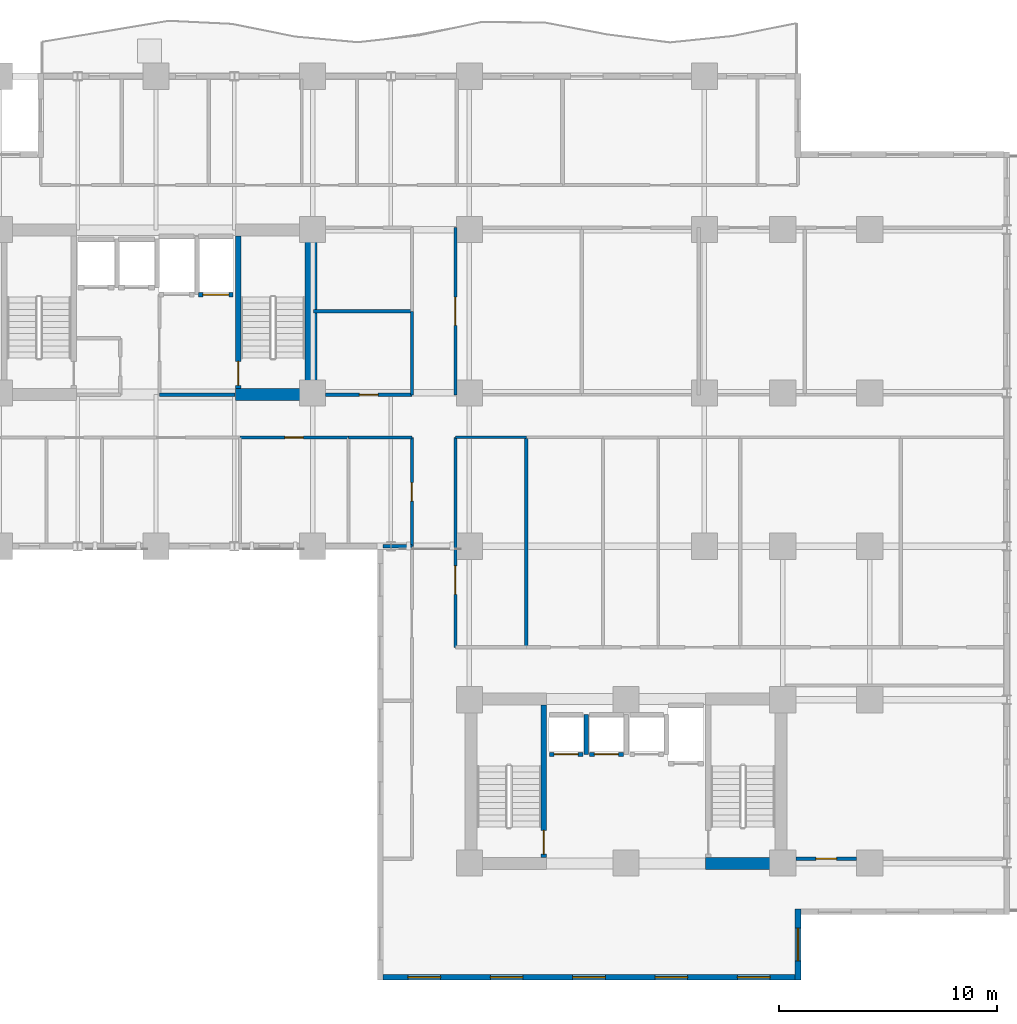
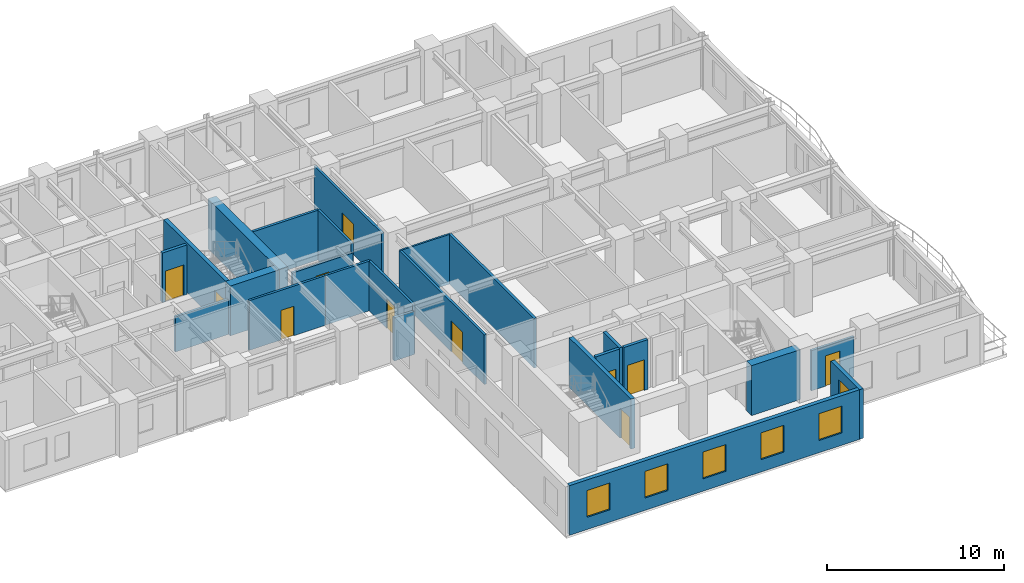
# One storey, part 4 of 11: 24 walls, 11 doors, 6 windows, 17 openings.
"""IFC4 building model written with IfcOpenShell, lengths in metres."""

from ifc_helpers import new_model, si_unit, direction, frame, frame_2d, origin, place, context, subcontext, project, spatial, rectangle, extrude, material, layer, layer_set, type_object, element, fill, save


model = new_model("IFC4")

# Units and contexts
model_context = context("Model", 3, precision=1e-05, world=origin(), true_north=direction((0.0, 1.0)))
body_context = subcontext(model_context, "Body", "Model", "MODEL_VIEW")
ifc_project = project(units=[si_unit("LENGTHUNIT", "METRE"), si_unit("AREAUNIT", "SQUARE_METRE"), si_unit("VOLUMEUNIT", "CUBIC_METRE"), si_unit("PLANEANGLEUNIT", "RADIAN"), si_unit("MASSUNIT", "GRAM", prefix="KILO")], contexts=[model_context])

# Site, building, storey
site_placement = place(None, origin())
site = spatial("IfcSite", under=ifc_project, at=site_placement, CompositionType="ELEMENT")
building_placement = place(site_placement, origin())
building = spatial("IfcBuilding", under=site, at=building_placement, Name="Kaliganga Portal Commons", CompositionType="ELEMENT")
storey_placement = place(building_placement, frame((0.0, 0.0, 119.300048828125)))
storey = spatial("IfcBuildingStorey", under=building, at=storey_placement, Name="L30", CompositionType="ELEMENT", Elevation=119.300048828125)

# Walls
ifc_material_1 = material(Name="Concrete C60/75", Category="concrete")
ifc_layer_1 = layer(ifc_material_1, 0.550048828125)
ifc_layer_set_1 = layer_set([ifc_layer_1], Name="Concrete C60/75")
wall_type_1 = type_object("IfcWallType", Name="WL-CORE-550", PredefinedType="SHEAR", material=ifc_layer_set_1)
wall_1_placement = place(storey_placement, frame((28.72509765625, 28.300048828125, 0.0), z_axis=(0.0, 0.0, 1.0), x_axis=(0.0, 1.0, 0.0)))
element("IfcWall", 1, at=wall_1_placement, inside=storey, type_object=wall_type_1, Name="Core A East Shear Wall L30", PredefinedType="SHEAR", context=body_context, shape_type="SweptSolid", body=[
    extrude(rectangle(XDim=8.099853515625, YDim=0.550048828125, at=frame_2d((4.0498046875, 0.0))), origin(), (0.0, 0.0, 1.0), 3.449951171875),
])
for number, where, z_axis, x_axis, name in (
    (2, (25.25, 28.574951171875, 0.0), (0.0, 0.0, 1.0), (1.0, 0.0, 0.0), "Core A S-East Shear Wall L30"),
    (3, (46.85009765625, 7.02490234375, 0.0), (0.0, 0.0, 1.0), (1.0, 0.0, 0.0), "Core B S-East Shear Wall L30"),
):
    element("IfcWall", number, at=place(storey_placement, frame(where, z_axis=z_axis, x_axis=x_axis)), inside=storey, type_object=wall_type_1, Name=name, PredefinedType="SHEAR", context=body_context, shape_type="SweptSolid", body=[
        extrude(rectangle(XDim=3.199951171875, YDim=0.550048828125, at=frame_2d((1.60009765625, 0.0))), origin(), (0.0, 0.0, 1.0), 3.449951171875),
    ])

# Wall, openings, windows
ifc_material_2 = material(Name="Insulated Aluminium-Clad Spandrel Assembly", Category="aluminium")
ifc_layer_2 = layer(ifc_material_2, 0.260009765625)
ifc_layer_set_2 = layer_set([ifc_layer_2], Name="Insulated Aluminium-Clad Spandrel Assembly")
wall_type_2 = type_object("IfcWallType", Name="WL-EXT-SPAND-260", PredefinedType="STANDARD", material=ifc_layer_set_2)
wall_2_placement = place(storey_placement, frame((50.965087890625, 1.800048828125, 0.0), z_axis=(0.0, 0.0, 1.0), x_axis=(-1.0, 0.0, 0.0)))
wall_2 = element("IfcWall", 4, at=wall_2_placement, inside=storey, type_object=wall_type_2, Name="Exterior Envelope Wall L30 P1-E00-S1", PredefinedType="STANDARD", context=body_context, shape_type="SweptSolid", body=[
    extrude(rectangle(XDim=18.93017578125, YDim=0.260009765625, at=frame_2d((9.465087890625, 0.0))), origin(), (0.0, 0.0, 1.0), 3.429931640625),
])
opening_1_placement = place(wall_2_placement, frame((1.14306640625, 0.0, 0.85009765625)))
opening_1 = element("IfcOpeningElement", 5, at=opening_1_placement, cuts=wall_2, Name="Opening W-02", PredefinedType="OPENING", context=body_context, shape_type="SweptSolid", body=[
    extrude(rectangle(XDim=1.5, YDim=1.85009765625, at=frame_2d((0.75, 0.925048828125))), frame((0.0, 0.14013671875, 0.0), z_axis=(0.0, -1.0, 0.0), x_axis=(1.0, 0.0, 0.0)), (0.0, 0.0, 1.0), 0.280029296875),
])
opening_2_placement = place(wall_2_placement, frame((4.928955078125, 0.0, 0.85009765625)))
opening_2 = element("IfcOpeningElement", 6, at=opening_2_placement, cuts=wall_2, Name="Opening W-02", PredefinedType="OPENING", context=body_context, shape_type="SweptSolid", body=[
    extrude(rectangle(XDim=1.5, YDim=1.85009765625, at=frame_2d((0.75, 0.925048828125))), frame((0.0, 0.14013671875, 0.0), z_axis=(0.0, -1.0, 0.0), x_axis=(1.0, 0.0, 0.0)), (0.0, 0.0, 1.0), 0.280029296875),
])
opening_3_placement = place(wall_2_placement, frame((8.715087890625, 0.0, 0.85009765625)))
opening_3 = element("IfcOpeningElement", 7, at=opening_3_placement, cuts=wall_2, Name="Opening W-02", PredefinedType="OPENING", context=body_context, shape_type="SweptSolid", body=[
    extrude(rectangle(XDim=1.5, YDim=1.85009765625, at=frame_2d((0.75, 0.925048828125))), frame((0.0, 0.14013671875, 0.0), z_axis=(0.0, -1.0, 0.0), x_axis=(1.0, 0.0, 0.0)), (0.0, 0.0, 1.0), 0.280029296875),
])
opening_4_placement = place(wall_2_placement, frame((12.5009765625, 0.0, 0.85009765625)))
opening_4 = element("IfcOpeningElement", 8, at=opening_4_placement, cuts=wall_2, Name="Opening W-02", PredefinedType="OPENING", context=body_context, shape_type="SweptSolid", body=[
    extrude(rectangle(XDim=1.5, YDim=1.85009765625, at=frame_2d((0.75, 0.925048828125))), frame((0.0, 0.14013671875, 0.0), z_axis=(0.0, -1.0, 0.0), x_axis=(1.0, 0.0, 0.0)), (0.0, 0.0, 1.0), 0.280029296875),
])
opening_5_placement = place(wall_2_placement, frame((16.287109375, 0.0, 0.85009765625)))
opening_5 = element("IfcOpeningElement", 9, at=opening_5_placement, cuts=wall_2, Name="Opening W-02", PredefinedType="OPENING", context=body_context, shape_type="SweptSolid", body=[
    extrude(rectangle(XDim=1.5, YDim=1.85009765625, at=frame_2d((0.75, 0.925048828125))), frame((0.0, 0.14013671875, 0.0), z_axis=(0.0, -1.0, 0.0), x_axis=(1.0, 0.0, 0.0)), (0.0, 0.0, 1.0), 0.280029296875),
])
ifc_material_3 = material(Name="Thermally Broken Aluminium and Low-E Double Glazing", Category="aluminium")
window_type = type_object("IfcWindowType", Name="WIN-STD-1500", PartitioningType="DOUBLE_PANEL_VERTICAL", PredefinedType="WINDOW", material=ifc_material_3)
window_1_placement = place(opening_1_placement, origin())
window_1 = element("IfcWindow", 10, at=window_1_placement, inside=storey, type_object=window_type, Name="Facade Window L30-P1E00S1-00", OverallHeight=1.85009765625, OverallWidth=1.5, PartitioningType="SINGLE_PANEL", PredefinedType="WINDOW", context=body_context, shape_type="SweptSolid", body=[
    extrude(rectangle(XDim=1.5, YDim=1.85009765625, at=frame_2d((0.75, 0.925048828125))), frame((0.0, 0.030029296875, 0.0), z_axis=(0.0, -1.0, 0.0), x_axis=(1.0, 0.0, 0.0)), (0.0, 0.0, 1.0), 0.06005859375),
])
fill(opening_1, window_1)
window_2_placement = place(opening_2_placement, origin())
window_2 = element("IfcWindow", 11, at=window_2_placement, inside=storey, type_object=window_type, Name="Facade Window L30-P1E00S1-01", OverallHeight=1.85009765625, OverallWidth=1.5, PartitioningType="SINGLE_PANEL", PredefinedType="WINDOW", context=body_context, shape_type="SweptSolid", body=[
    extrude(rectangle(XDim=1.5, YDim=1.85009765625, at=frame_2d((0.75, 0.925048828125))), frame((0.0, 0.030029296875, 0.0), z_axis=(0.0, -1.0, 0.0), x_axis=(1.0, 0.0, 0.0)), (0.0, 0.0, 1.0), 0.06005859375),
])
fill(opening_2, window_2)
window_3_placement = place(opening_3_placement, origin())
window_3 = element("IfcWindow", 12, at=window_3_placement, inside=storey, type_object=window_type, Name="Facade Window L30-P1E00S1-02", OverallHeight=1.85009765625, OverallWidth=1.5, PartitioningType="SINGLE_PANEL", PredefinedType="WINDOW", context=body_context, shape_type="SweptSolid", body=[
    extrude(rectangle(XDim=1.5, YDim=1.85009765625, at=frame_2d((0.75, 0.925048828125))), frame((0.0, 0.030029296875, 0.0), z_axis=(0.0, -1.0, 0.0), x_axis=(1.0, 0.0, 0.0)), (0.0, 0.0, 1.0), 0.06005859375),
])
fill(opening_3, window_3)
window_4_placement = place(opening_4_placement, origin())
window_4 = element("IfcWindow", 13, at=window_4_placement, inside=storey, type_object=window_type, Name="Facade Window L30-P1E00S1-03", OverallHeight=1.85009765625, OverallWidth=1.5, PartitioningType="SINGLE_PANEL", PredefinedType="WINDOW", context=body_context, shape_type="SweptSolid", body=[
    extrude(rectangle(XDim=1.5, YDim=1.85009765625, at=frame_2d((0.75, 0.925048828125))), frame((0.0, 0.030029296875, 0.0), z_axis=(0.0, -1.0, 0.0), x_axis=(1.0, 0.0, 0.0)), (0.0, 0.0, 1.0), 0.06005859375),
])
fill(opening_4, window_4)
window_5_placement = place(opening_5_placement, origin())
window_5 = element("IfcWindow", 14, at=window_5_placement, inside=storey, type_object=window_type, Name="Facade Window L30-P1E00S1-04", OverallHeight=1.85009765625, OverallWidth=1.5, PartitioningType="SINGLE_PANEL", PredefinedType="WINDOW", context=body_context, shape_type="SweptSolid", body=[
    extrude(rectangle(XDim=1.5, YDim=1.85009765625, at=frame_2d((0.75, 0.925048828125))), frame((0.0, 0.030029296875, 0.0), z_axis=(0.0, -1.0, 0.0), x_axis=(1.0, 0.0, 0.0)), (0.0, 0.0, 1.0), 0.06005859375),
])
fill(opening_5, window_5)

# Wall, opening, window
wall_3_placement = place(storey_placement, frame((51.10009765625, 4.929931640625, 0.0), z_axis=(0.0, 0.0, 1.0), x_axis=(0.0, -1.0, 0.0)))
wall_3 = element("IfcWall", 15, at=wall_3_placement, inside=storey, type_object=wall_type_2, Name="Exterior Envelope Wall L30 P1-E01-S1", PredefinedType="STANDARD", context=body_context, shape_type="SweptSolid", body=[
    extrude(rectangle(XDim=3.260009765625, YDim=0.260009765625, at=frame_2d((1.6298828125, 0.0))), origin(), (0.0, 0.0, 1.0), 3.429931640625),
])
opening_6_placement = place(wall_3_placement, frame((0.8798828125, 0.0, 0.85009765625)))
opening_6 = element("IfcOpeningElement", 16, at=opening_6_placement, cuts=wall_3, Name="Opening W-02", PredefinedType="OPENING", context=body_context, shape_type="SweptSolid", body=[
    extrude(rectangle(XDim=1.5, YDim=1.85009765625, at=frame_2d((0.75, 0.925048828125))), frame((0.0, 0.14013671875, 0.0), z_axis=(0.0, -1.0, 0.0), x_axis=(1.0, 0.0, 0.0)), (0.0, 0.0, 1.0), 0.280029296875),
])
window_6_placement = place(opening_6_placement, origin())
window_6 = element("IfcWindow", 17, at=window_6_placement, inside=storey, type_object=window_type, Name="Facade Window L30-P1E01S1-00", OverallHeight=1.85009765625, OverallWidth=1.5, PartitioningType="SINGLE_PANEL", PredefinedType="WINDOW", context=body_context, shape_type="SweptSolid", body=[
    extrude(rectangle(XDim=1.5, YDim=1.85009765625, at=frame_2d((0.75, 0.925048828125))), frame((0.0, 0.030029296875, 0.0), z_axis=(0.0, -1.0, 0.0), x_axis=(1.0, 0.0, 0.0)), (0.0, 0.0, 1.0), 0.06005859375),
])
fill(opening_6, window_6)

# Wall, opening, door
ifc_material_4 = material(Name="Fire-Rated Gypsum Board on Steel Stud", Category="steel")
ifc_layer_3 = layer(ifc_material_4, 0.14990234375)
ifc_layer_set_3 = layer_set([ifc_layer_3], Name="Fire-Rated Gypsum Board on Steel Stud")
wall_type_3 = type_object("IfcWallType", Name="WL-PART-CORR-150", PredefinedType="PARTITIONING", material=ifc_layer_set_3)
wall_4_placement = place(storey_placement, frame((51.0, 7.239990234375, 0.0), z_axis=(0.0, 0.0, 1.0), x_axis=(1.0, 0.0, 0.0)))
wall_4 = element("IfcWall", 18, at=wall_4_placement, inside=storey, type_object=wall_type_3, Name="Interior Partition L30-001", PredefinedType="PARTITIONING", context=body_context, shape_type="SweptSolid", body=[
    extrude(rectangle(XDim=2.800048828125, YDim=0.14990234375, at=frame_2d((1.39990234375, 0.0))), origin(), (0.0, 0.0, 1.0), 2.780029296875),
])
opening_7_placement = place(wall_4_placement, frame((0.925048828125, 0.0, 0.0)))
opening_7 = element("IfcOpeningElement", 19, at=opening_7_placement, cuts=wall_4, Name="Opening UD-01", PredefinedType="OPENING", context=body_context, shape_type="SweptSolid", body=[
    extrude(rectangle(XDim=0.949951171875, YDim=2.10009765625, at=frame_2d((0.47509765625, 1.050048828125))), frame((0.0, 0.0849609375, 0.0), z_axis=(0.0, -1.0, 0.0), x_axis=(1.0, 0.0, 0.0)), (0.0, 0.0, 1.0), 0.169921875),
])
ifc_material_5 = material(Name="Solid-Core Timber Acoustic Fire Door", Category="wood")
door_type_1 = type_object("IfcDoorType", Name="DR-UNIT-950", OperationType="NOTDEFINED", PredefinedType="DOOR", material=ifc_material_5)
door_1_placement = place(opening_7_placement, origin())
door_1 = element("IfcDoor", 20, at=door_1_placement, inside=storey, type_object=door_type_1, Name="Interior Door L30-BE01", OperationType="SINGLE_SWING_RIGHT", OverallHeight=2.10009765625, OverallWidth=0.949951171875, PredefinedType="DOOR", context=body_context, shape_type="SweptSolid", body=[
    extrude(rectangle(XDim=0.949951171875, YDim=2.10009765625, at=frame_2d((0.47509765625, 1.050048828125))), frame((0.0, 0.02490234375, 0.0), z_axis=(0.0, -1.0, 0.0), x_axis=(1.0, 0.0, 0.0)), (0.0, 0.0, 1.0), 0.050048828125),
])
fill(opening_7, door_1)

wall_5_placement = place(storey_placement, frame((35.360107421875, 16.9599609375, 0.0), z_axis=(0.0, 0.0, 1.0), x_axis=(0.0, 1.0, 0.0)))
wall_5 = element("IfcWall", 21, at=wall_5_placement, inside=storey, type_object=wall_type_3, Name="Interior Partition L30-004", PredefinedType="PARTITIONING", context=body_context, shape_type="SweptSolid", body=[
    extrude(rectangle(XDim=9.64013671875, YDim=0.14990234375, at=frame_2d((4.820068359375, 0.0))), origin(), (0.0, 0.0, 1.0), 3.429931640625),
])
opening_8_placement = place(wall_5_placement, frame((2.434814453125, 0.0, 0.0)))
opening_8 = element("IfcOpeningElement", 22, at=opening_8_placement, cuts=wall_5, Name="Opening RD-03", PredefinedType="OPENING", context=body_context, shape_type="SweptSolid", body=[
    extrude(rectangle(XDim=1.300048828125, YDim=2.1201171875, at=frame_2d((0.64990234375, 1.06005859375))), frame((0.0, 0.0849609375, 0.0), z_axis=(0.0, -1.0, 0.0), x_axis=(1.0, 0.0, 0.0)), (0.0, 0.0, 1.0), 0.169921875),
])
ifc_material_6 = material(Name="Glazed Timber Seminar Vision Door", Category="wood")
door_type_2 = type_object("IfcDoorType", Name="DR-STUDY-1300", OperationType="DOUBLE_DOOR_SINGLE_SWING", PredefinedType="DOOR", material=ifc_material_6)
door_2_placement = place(opening_8_placement, origin())
door_2 = element("IfcDoor", 23, at=door_2_placement, inside=storey, type_object=door_type_2, Name="Interior Door L30-BM01", OperationType="DOUBLE_DOOR_SINGLE_SWING", OverallHeight=2.1201171875, OverallWidth=1.300048828125, PredefinedType="DOOR", context=body_context, shape_type="SweptSolid", body=[
    extrude(rectangle(XDim=1.300048828125, YDim=2.1201171875, at=frame_2d((0.64990234375, 1.06005859375))), frame((0.0, 0.02490234375, 0.0), z_axis=(0.0, -1.0, 0.0), x_axis=(1.0, 0.0, 0.0)), (0.0, 0.0, 1.0), 0.050048828125),
])
fill(opening_8, door_2)

wall_6_placement = place(storey_placement, frame((35.360107421875, 28.56005859375, 0.0), z_axis=(0.0, 0.0, 1.0), x_axis=(0.0, 1.0, 0.0)))
wall_6 = element("IfcWall", 24, at=wall_6_placement, inside=storey, type_object=wall_type_3, Name="Interior Partition L30-008", PredefinedType="PARTITIONING", context=body_context, shape_type="SweptSolid", body=[
    extrude(rectangle(XDim=7.679931640625, YDim=0.14990234375, at=frame_2d((3.83984375, 0.0))), origin(), (0.0, 0.0, 1.0), 3.429931640625),
])
opening_9_placement = place(wall_6_placement, frame((3.18994140625, 0.0, 0.0)))
opening_9 = element("IfcOpeningElement", 25, at=opening_9_placement, cuts=wall_6, Name="Opening RD-03", PredefinedType="OPENING", context=body_context, shape_type="SweptSolid", body=[
    extrude(rectangle(XDim=1.300048828125, YDim=2.1201171875, at=frame_2d((0.64990234375, 1.06005859375))), frame((0.0, 0.0849609375, 0.0), z_axis=(0.0, -1.0, 0.0), x_axis=(1.0, 0.0, 0.0)), (0.0, 0.0, 1.0), 0.169921875),
])
door_3_placement = place(opening_9_placement, origin())
door_3 = element("IfcDoor", 26, at=door_3_placement, inside=storey, type_object=door_type_2, Name="Interior Door L30-BK01", OperationType="DOUBLE_DOOR_SINGLE_SWING", OverallHeight=2.1201171875, OverallWidth=1.300048828125, PredefinedType="DOOR", context=body_context, shape_type="SweptSolid", body=[
    extrude(rectangle(XDim=1.300048828125, YDim=2.1201171875, at=frame_2d((0.64990234375, 1.06005859375))), frame((0.0, 0.02490234375, 0.0), z_axis=(0.0, -1.0, 0.0), x_axis=(1.0, 0.0, 0.0)), (0.0, 0.0, 1.0), 0.050048828125),
])
fill(opening_9, door_3)

wall_7_placement = place(storey_placement, frame((33.360107421875, 21.60009765625, 0.0), z_axis=(0.0, 0.0, 1.0), x_axis=(0.0, 1.0, 0.0)))
wall_7 = element("IfcWall", 27, at=wall_7_placement, inside=storey, type_object=wall_type_3, Name="Interior Partition L30-016", PredefinedType="PARTITIONING", context=body_context, shape_type="SweptSolid", body=[
    extrude(rectangle(XDim=5.0, YDim=0.14990234375, at=frame_2d((2.5, 0.0))), origin(), (0.0, 0.0, 1.0), 3.429931640625),
])
opening_10_placement = place(wall_7_placement, frame((2.070068359375, 0.0, 0.0)))
opening_10 = element("IfcOpeningElement", 28, at=opening_10_placement, cuts=wall_7, Name="Opening WD-02", PredefinedType="OPENING", context=body_context, shape_type="SweptSolid", body=[
    extrude(rectangle(XDim=0.860107421875, YDim=2.02001953125, at=frame_2d((0.43017578125, 1.010009765625))), frame((0.0, 0.0849609375, 0.0), z_axis=(0.0, -1.0, 0.0), x_axis=(1.0, 0.0, 0.0)), (0.0, 0.0, 1.0), 0.169921875),
])
ifc_material_7 = material(Name="Fire-Rated Utility Closet Door", Category="wood")
door_type_3 = type_object("IfcDoorType", Name="DR-STORE-800", OperationType="NOTDEFINED", PredefinedType="DOOR", material=ifc_material_7)
door_4_placement = place(opening_10_placement, origin())
door_4 = element("IfcDoor", 29, at=door_4_placement, inside=storey, type_object=door_type_3, Name="Interior Door L30-AS06", OperationType="SINGLE_SWING_LEFT", OverallHeight=2.02001953125, OverallWidth=0.860107421875, PredefinedType="DOOR", context=body_context, shape_type="SweptSolid", body=[
    extrude(rectangle(XDim=0.860107421875, YDim=2.02001953125, at=frame_2d((0.43017578125, 1.010009765625))), frame((0.0, 0.02490234375, 0.0), z_axis=(0.0, -1.0, 0.0), x_axis=(1.0, 0.0, 0.0)), (0.0, 0.0, 1.0), 0.050048828125),
])
fill(opening_10, door_4)

wall_8_placement = place(storey_placement, frame((25.4599609375, 26.60009765625, 0.0), z_axis=(0.0, 0.0, 1.0), x_axis=(1.0, 0.0, 0.0)))
wall_8 = element("IfcWall", 30, at=wall_8_placement, inside=storey, type_object=wall_type_3, Name="Interior Partition L30-017", PredefinedType="PARTITIONING", context=body_context, shape_type="SweptSolid", body=[
    extrude(rectangle(XDim=4.97998046875, YDim=0.14990234375, at=frame_2d((2.489990234375, 0.0))), origin(), (0.0, 0.0, 1.0), 3.429931640625),
])
opening_11_placement = place(wall_8_placement, frame((2.06494140625, 0.0, 0.0)))
opening_11 = element("IfcOpeningElement", 31, at=opening_11_placement, cuts=wall_8, Name="Opening WD-01", PredefinedType="OPENING", context=body_context, shape_type="SweptSolid", body=[
    extrude(rectangle(XDim=0.85009765625, YDim=2.0400390625, at=frame_2d((0.425048828125, 1.02001953125))), frame((0.0, 0.0849609375, 0.0), z_axis=(0.0, -1.0, 0.0), x_axis=(1.0, 0.0, 0.0)), (0.0, 0.0, 1.0), 0.169921875),
])
ifc_material_8 = material(Name="Moisture-Resistant Laminate Timber Door", Category="wood")
door_type_4 = type_object("IfcDoorType", Name="DR-WET-850", OperationType="NOTDEFINED", PredefinedType="DOOR", material=ifc_material_8)
door_5_placement = place(opening_11_placement, origin())
door_5 = element("IfcDoor", 32, at=door_5_placement, inside=storey, type_object=door_type_4, Name="Interior Door L30-AS05", OperationType="SINGLE_SWING_RIGHT", OverallHeight=2.0400390625, OverallWidth=0.85009765625, PredefinedType="DOOR", context=body_context, shape_type="SweptSolid", body=[
    extrude(rectangle(XDim=0.85009765625, YDim=2.0400390625, at=frame_2d((0.425048828125, 1.02001953125))), frame((0.0, 0.02490234375, 0.0), z_axis=(0.0, -1.0, 0.0), x_axis=(1.0, 0.0, 0.0)), (0.0, 0.0, 1.0), 0.050048828125),
])
fill(opening_11, door_5)

wall_9_placement = place(storey_placement, frame((29.39990234375, 28.56005859375, 0.0), z_axis=(0.0, 0.0, 1.0), x_axis=(1.0, 0.0, 0.0)))
wall_9 = element("IfcWall", 33, at=wall_9_placement, inside=storey, type_object=wall_type_3, Name="Interior Partition L30-024", PredefinedType="PARTITIONING", context=body_context, shape_type="SweptSolid", body=[
    extrude(rectangle(XDim=3.960205078125, YDim=0.14990234375, at=frame_2d((1.97998046875, 0.0))), origin(), (0.0, 0.0, 1.0), 2.780029296875),
])
opening_12_placement = place(wall_9_placement, frame((1.550048828125, 0.0, 0.0)))
opening_12 = element("IfcOpeningElement", 34, at=opening_12_placement, cuts=wall_9, Name="Opening WD-02", PredefinedType="OPENING", context=body_context, shape_type="SweptSolid", body=[
    extrude(rectangle(XDim=0.860107421875, YDim=2.02001953125, at=frame_2d((0.43017578125, 1.010009765625))), frame((0.0, 0.0849609375, 0.0), z_axis=(0.0, -1.0, 0.0), x_axis=(1.0, 0.0, 0.0)), (0.0, 0.0, 1.0), 0.169921875),
])
door_6_placement = place(opening_12_placement, origin())
door_6 = element("IfcDoor", 35, at=door_6_placement, inside=storey, type_object=door_type_3, Name="Interior Door L30-CSRV_A1", OperationType="SINGLE_SWING_RIGHT", OverallHeight=2.02001953125, OverallWidth=0.860107421875, PredefinedType="DOOR", context=body_context, shape_type="SweptSolid", body=[
    extrude(rectangle(XDim=0.860107421875, YDim=2.02001953125, at=frame_2d((0.43017578125, 1.010009765625))), frame((0.0, 0.02490234375, 0.0), z_axis=(0.0, -1.0, 0.0), x_axis=(1.0, 0.0, 0.0)), (0.0, 0.0, 1.0), 0.050048828125),
])
fill(opening_12, door_6)

# Walls
wall_10_placement = place(storey_placement, frame((33.360107421875, 28.56005859375, 0.0), z_axis=(0.0, 0.0, 1.0), x_axis=(0.0, 1.0, 0.0)))
element("IfcWall", 36, at=wall_10_placement, inside=storey, type_object=wall_type_3, Name="Interior Partition L30-029", PredefinedType="PARTITIONING", context=body_context, shape_type="SweptSolid", body=[
    extrude(rectangle(XDim=3.83984375, YDim=0.14990234375, at=frame_2d((1.919921875, 0.0))), origin(), (0.0, 0.0, 1.0), 3.429931640625),
])
wall_11_placement = place(storey_placement, frame((30.43994140625, 26.60009765625, 0.0), z_axis=(0.0, 0.0, 1.0), x_axis=(1.0, 0.0, 0.0)))
element("IfcWall", 37, at=wall_11_placement, inside=storey, type_object=wall_type_3, Name="Interior Partition L30-034", PredefinedType="PARTITIONING", context=body_context, shape_type="SweptSolid", body=[
    extrude(rectangle(XDim=2.920166015625, YDim=0.14990234375, at=frame_2d((1.4599609375, 0.0))), origin(), (0.0, 0.0, 1.0), 3.429931640625),
])
wall_12_placement = place(storey_placement, frame((21.760009765625, 28.56005859375, 0.0), z_axis=(0.0, 0.0, 1.0), x_axis=(1.0, 0.0, 0.0)))
element("IfcWall", 38, at=wall_12_placement, inside=storey, type_object=wall_type_3, Name="Interior Partition L30-077", PredefinedType="PARTITIONING", context=body_context, shape_type="SweptSolid", body=[
    extrude(rectangle(XDim=3.47998046875, YDim=0.14990234375, at=frame_2d((1.739990234375, 0.0))), origin(), (0.0, 0.0, 1.0), 2.429931640625),
])
ifc_material_9 = material(Name="Moisture-Resistant Gypsum Partition", Category="gypsum")
ifc_layer_4 = layer(ifc_material_9, 0.114990234375)
ifc_layer_set_4 = layer_set([ifc_layer_4], Name="Moisture-Resistant Gypsum Partition")
wall_type_4 = type_object("IfcWallType", Name="WL-PART-ROOM-115", PredefinedType="PARTITIONING", material=ifc_layer_set_4)
wall_13_placement = place(storey_placement, frame((35.360107421875, 26.60009765625, 0.0), z_axis=(0.0, 0.0, 1.0), x_axis=(1.0, 0.0, 0.0)))
element("IfcWall", 39, at=wall_13_placement, inside=storey, type_object=wall_type_4, Name="Interior Partition L30-078", PredefinedType="PARTITIONING", context=body_context, shape_type="SweptSolid", body=[
    extrude(rectangle(XDim=3.260009765625, YDim=0.114990234375, at=frame_2d((1.6298828125, 0.0))), origin(), (0.0, 0.0, 1.0), 3.429931640625),
])
ifc_material_10 = material(Name="Twin-Stud Acoustic Gypsum Partition", Category="gypsum")
ifc_layer_5 = layer(ifc_material_10, 0.1650390625)
ifc_layer_set_5 = layer_set([ifc_layer_5], Name="Twin-Stud Acoustic Gypsum Partition")
wall_type_5 = type_object("IfcWallType", Name="WL-PART-UNIT-165", PredefinedType="PARTITIONING", material=ifc_layer_set_5)
wall_14_placement = place(storey_placement, frame((38.6201171875, 16.9599609375, 0.0), z_axis=(0.0, 0.0, 1.0), x_axis=(0.0, 1.0, 0.0)))
element("IfcWall", 40, at=wall_14_placement, inside=storey, type_object=wall_type_5, Name="Interior Partition L30-043", PredefinedType="PARTITIONING", context=body_context, shape_type="SweptSolid", body=[
    extrude(rectangle(XDim=9.64013671875, YDim=0.1650390625, at=frame_2d((4.820068359375, 0.0))), origin(), (0.0, 0.0, 1.0), 3.429931640625),
])
wall_15_placement = place(storey_placement, frame((28.840087890625, 32.39990234375, 0.0), z_axis=(0.0, 0.0, 1.0), x_axis=(1.0, 0.0, 0.0)))
element("IfcWall", 41, at=wall_15_placement, inside=storey, type_object=wall_type_5, Name="Interior Partition L30-074", PredefinedType="PARTITIONING", context=body_context, shape_type="SweptSolid", body=[
    extrude(rectangle(XDim=4.52001953125, YDim=0.1650390625, at=frame_2d((2.260009765625, 0.0))), origin(), (0.0, 0.0, 1.0), 3.429931640625),
])
wall_16_placement = place(storey_placement, frame((32.031982421875, 21.60009765625, 0.0), z_axis=(0.0, 0.0, 1.0), x_axis=(1.0, 0.0, 0.0)))
element("IfcWall", 42, at=wall_16_placement, inside=storey, type_object=wall_type_5, Name="Interior Partition L30-081", PredefinedType="PARTITIONING", context=body_context, shape_type="SweptSolid", body=[
    extrude(rectangle(XDim=1.328125, YDim=0.1650390625, at=frame_2d((0.6640625, 0.0))), origin(), (0.0, 0.0, 1.0), 2.97998046875),
])

# Wall, opening, door
ifc_material_11 = material(Name="Fire-Rated Shaftwall Masonry Assembly", Category="masonry")
ifc_layer_6 = layer(ifc_material_11, 0.199951171875)
ifc_layer_set_6 = layer_set([ifc_layer_6], Name="Fire-Rated Shaftwall Masonry Assembly")
wall_type_6 = type_object("IfcWallType", Name="WL-SHAFT-200", PredefinedType="PARTITIONING", material=ifc_layer_set_6)
wall_17_placement = place(storey_placement, frame((23.550048828125, 33.159912109375, 0.0), z_axis=(0.0, 0.0, 1.0), x_axis=(1.0, 0.0, 0.0)))
wall_17 = element("IfcWall", 43, at=wall_17_placement, inside=storey, type_object=wall_type_6, Name="Lift FFL-2 Hoistway Shaft Wall L30-S", PredefinedType="PARTITIONING", context=body_context, shape_type="SweptSolid", body=[
    extrude(rectangle(XDim=1.599853515625, YDim=0.199951171875, at=frame_2d((0.7998046875, 0.0))), origin(), (0.0, 0.0, 1.0), 3.429931640625),
])
opening_13_placement = place(wall_17_placement, frame((0.199951171875, 0.0, 0.0)))
opening_13 = element("IfcOpeningElement", 44, at=opening_13_placement, cuts=wall_17, Name="Opening LD-02", PredefinedType="OPENING", context=body_context, shape_type="SweptSolid", body=[
    extrude(rectangle(XDim=1.199951171875, YDim=2.1201171875, at=frame_2d((0.60009765625, 1.06005859375))), frame((0.0, 0.10986328125, 0.0), z_axis=(0.0, -1.0, 0.0), x_axis=(1.0, 0.0, 0.0)), (0.0, 0.0, 1.0), 0.219970703125),
])
ifc_material_12 = material(Name="Brushed Stainless Steel 316 Stretcher Lift Landing Door", Category="steel")
door_type_5 = type_object("IfcDoorType", Name="DR-LIFT-1200", OperationType="SLIDING_TO_RIGHT", PredefinedType="DOOR", material=ifc_material_12)
door_7_placement = place(opening_13_placement, origin())
door_7 = element("IfcDoor", 45, at=door_7_placement, inside=storey, type_object=door_type_5, Name="Lift FFL-2 Sliding Landing Door L30", OperationType="SLIDING_TO_RIGHT", OverallHeight=2.1201171875, OverallWidth=1.199951171875, PredefinedType="DOOR", context=body_context, shape_type="SweptSolid", body=[
    extrude(rectangle(XDim=1.199951171875, YDim=2.1201171875, at=frame_2d((0.60009765625, 1.06005859375))), frame((0.0, 0.02490234375, 0.0), z_axis=(0.0, -1.0, 0.0), x_axis=(1.0, 0.0, 0.0)), (0.0, 0.0, 1.0), 0.050048828125),
])
fill(opening_13, door_7)

wall_18_placement = place(storey_placement, frame((39.675048828125, 12.034912109375, 0.0), z_axis=(0.0, 0.0, 1.0), x_axis=(1.0, 0.0, 0.0)))
wall_18 = element("IfcWall", 46, at=wall_18_placement, inside=storey, type_object=wall_type_6, Name="Lift PL-B1 Hoistway Shaft Wall L30-S", PredefinedType="PARTITIONING", context=body_context, shape_type="SweptSolid", body=[
    extrude(rectangle(XDim=1.550048828125, YDim=0.199951171875, at=frame_2d((0.77490234375, 0.0))), origin(), (0.0, 0.0, 1.0), 3.429931640625),
])
opening_14_placement = place(wall_18_placement, frame((0.22509765625, 0.0, 0.0)))
opening_14 = element("IfcOpeningElement", 47, at=opening_14_placement, cuts=wall_18, Name="Opening LD-01", PredefinedType="OPENING", context=body_context, shape_type="SweptSolid", body=[
    extrude(rectangle(XDim=1.10009765625, YDim=2.1201171875, at=frame_2d((0.550048828125, 1.06005859375))), frame((0.0, 0.10986328125, 0.0), z_axis=(0.0, -1.0, 0.0), x_axis=(1.0, 0.0, 0.0)), (0.0, 0.0, 1.0), 0.219970703125),
])
ifc_material_13 = material(Name="Brushed Stainless Steel 316 Lift Landing Door", Category="steel")
door_type_6 = type_object("IfcDoorType", Name="DR-LIFT-1100", OperationType="SLIDING_TO_LEFT", PredefinedType="DOOR", material=ifc_material_13)
door_8_placement = place(opening_14_placement, origin())
door_8 = element("IfcDoor", 48, at=door_8_placement, inside=storey, type_object=door_type_6, Name="Lift PL-B1 Sliding Landing Door L30", OperationType="SLIDING_TO_LEFT", OverallHeight=2.1201171875, OverallWidth=1.10009765625, PredefinedType="DOOR", context=body_context, shape_type="SweptSolid", body=[
    extrude(rectangle(XDim=1.10009765625, YDim=2.1201171875, at=frame_2d((0.550048828125, 1.06005859375))), frame((0.0, 0.02490234375, 0.0), z_axis=(0.0, -1.0, 0.0), x_axis=(1.0, 0.0, 0.0)), (0.0, 0.0, 1.0), 0.050048828125),
])
fill(opening_14, door_8)

# Wall
wall_19_placement = place(storey_placement, frame((41.364990234375, 12.034912109375, 0.0), z_axis=(0.0, 0.0, 1.0), x_axis=(0.0, 1.0, 0.0)))
element("IfcWall", 49, at=wall_19_placement, inside=storey, type_object=wall_type_6, Name="Lift PL-B1 Hoistway Shaft Wall L30-E", PredefinedType="PARTITIONING", context=body_context, shape_type="SweptSolid", body=[
    extrude(rectangle(XDim=1.830078125, YDim=0.199951171875, at=frame_2d((0.9150390625, 0.0))), origin(), (0.0, 0.0, 1.0), 3.429931640625),
])

# Wall, opening, door
wall_20_placement = place(storey_placement, frame((41.52490234375, 12.034912109375, 0.0), z_axis=(0.0, 0.0, 1.0), x_axis=(1.0, 0.0, 0.0)))
wall_20 = element("IfcWall", 50, at=wall_20_placement, inside=storey, type_object=wall_type_6, Name="Lift PL-B2 Hoistway Shaft Wall L30-S", PredefinedType="PARTITIONING", context=body_context, shape_type="SweptSolid", body=[
    extrude(rectangle(XDim=1.550048828125, YDim=0.199951171875, at=frame_2d((0.77490234375, 0.0))), origin(), (0.0, 0.0, 1.0), 3.429931640625),
])
opening_15_placement = place(wall_20_placement, frame((0.22509765625, 0.0, 0.0)))
opening_15 = element("IfcOpeningElement", 51, at=opening_15_placement, cuts=wall_20, Name="Opening LD-01", PredefinedType="OPENING", context=body_context, shape_type="SweptSolid", body=[
    extrude(rectangle(XDim=1.10009765625, YDim=2.1201171875, at=frame_2d((0.550048828125, 1.06005859375))), frame((0.0, 0.10986328125, 0.0), z_axis=(0.0, -1.0, 0.0), x_axis=(1.0, 0.0, 0.0)), (0.0, 0.0, 1.0), 0.219970703125),
])
door_9_placement = place(opening_15_placement, origin())
door_9 = element("IfcDoor", 52, at=door_9_placement, inside=storey, type_object=door_type_6, Name="Lift PL-B2 Sliding Landing Door L30", OperationType="SLIDING_TO_LEFT", OverallHeight=2.1201171875, OverallWidth=1.10009765625, PredefinedType="DOOR", context=body_context, shape_type="SweptSolid", body=[
    extrude(rectangle(XDim=1.10009765625, YDim=2.1201171875, at=frame_2d((0.550048828125, 1.06005859375))), frame((0.0, 0.02490234375, 0.0), z_axis=(0.0, -1.0, 0.0), x_axis=(1.0, 0.0, 0.0)), (0.0, 0.0, 1.0), 0.050048828125),
])
fill(opening_15, door_9)

ifc_material_14 = material(Name="Concrete C50/60", Category="concrete")
ifc_layer_7 = layer(ifc_material_14, 0.25)
ifc_layer_set_7 = layer_set([ifc_layer_7], Name="Concrete C50/60")
wall_type_7 = type_object("IfcWallType", Name="WL-STAIR-250", PredefinedType="SHEAR", material=ifc_layer_set_7)
wall_21_placement = place(storey_placement, frame((25.375, 28.85009765625, 0.0), z_axis=(0.0, 0.0, 1.0), x_axis=(0.0, 1.0, 0.0)))
wall_21 = element("IfcWall", 53, at=wall_21_placement, inside=storey, type_object=wall_type_7, Name="Stair A2 Enclosure Shear Wall L30", PredefinedType="SHEAR", context=body_context, shape_type="SweptSolid", body=[
    extrude(rectangle(XDim=7.0, YDim=0.25, at=frame_2d((3.5, 0.0))), origin(), (0.0, 0.0, 1.0), 3.449951171875),
])
opening_16_placement = place(wall_21_placement, frame((0.14990234375, 0.0, 0.0)))
opening_16 = element("IfcOpeningElement", 54, at=opening_16_placement, cuts=wall_21, Name="Opening SD-01", PredefinedType="OPENING", context=body_context, shape_type="SweptSolid", body=[
    extrude(rectangle(XDim=1.10009765625, YDim=2.080078125, at=frame_2d((0.550048828125, 1.0400390625))), frame((0.0, 0.135009765625, 0.0), z_axis=(0.0, -1.0, 0.0), x_axis=(1.0, 0.0, 0.0)), (0.0, 0.0, 1.0), 0.27001953125),
])
ifc_material_15 = material(Name="Galvanized Steel Fire Door Leaf and Frame", Category="steel")
door_type_7 = type_object("IfcDoorType", Name="DR-STAIR-1100", OperationType="NOTDEFINED", PredefinedType="DOOR", material=ifc_material_15)
door_10_placement = place(opening_16_placement, origin())
door_10 = element("IfcDoor", 55, at=door_10_placement, inside=storey, type_object=door_type_7, Name="Protected Stair ST-A2 Fire Door L30", OperationType="SINGLE_SWING_LEFT", OverallHeight=2.080078125, OverallWidth=1.10009765625, PredefinedType="DOOR", context=body_context, shape_type="SweptSolid", body=[
    extrude(rectangle(XDim=1.10009765625, YDim=2.080078125, at=frame_2d((0.550048828125, 1.0400390625))), frame((0.0, 0.02490234375, 0.0), z_axis=(0.0, -1.0, 0.0), x_axis=(1.0, 0.0, 0.0)), (0.0, 0.0, 1.0), 0.050048828125),
])
fill(opening_16, door_10)

wall_22_placement = place(storey_placement, frame((39.425048828125, 7.300048828125, 0.0), z_axis=(0.0, 0.0, 1.0), x_axis=(0.0, 1.0, 0.0)))
wall_22 = element("IfcWall", 56, at=wall_22_placement, inside=storey, type_object=wall_type_7, Name="Stair B1 Enclosure Shear Wall L30", PredefinedType="SHEAR", context=body_context, shape_type="SweptSolid", body=[
    extrude(rectangle(XDim=7.0, YDim=0.25, at=frame_2d((3.5, 0.0))), origin(), (0.0, 0.0, 1.0), 3.449951171875),
])
opening_17_placement = place(wall_22_placement, frame((0.14990234375, 0.0, 0.0)))
opening_17 = element("IfcOpeningElement", 57, at=opening_17_placement, cuts=wall_22, Name="Opening SD-01", PredefinedType="OPENING", context=body_context, shape_type="SweptSolid", body=[
    extrude(rectangle(XDim=1.10009765625, YDim=2.080078125, at=frame_2d((0.550048828125, 1.0400390625))), frame((0.0, 0.135009765625, 0.0), z_axis=(0.0, -1.0, 0.0), x_axis=(1.0, 0.0, 0.0)), (0.0, 0.0, 1.0), 0.27001953125),
])
door_11_placement = place(opening_17_placement, origin())
door_11 = element("IfcDoor", 58, at=door_11_placement, inside=storey, type_object=door_type_7, Name="Protected Stair ST-B1 Fire Door L30", OperationType="SINGLE_SWING_RIGHT", OverallHeight=2.080078125, OverallWidth=1.10009765625, PredefinedType="DOOR", context=body_context, shape_type="SweptSolid", body=[
    extrude(rectangle(XDim=1.10009765625, YDim=2.080078125, at=frame_2d((0.550048828125, 1.0400390625))), frame((0.0, 0.02490234375, 0.0), z_axis=(0.0, -1.0, 0.0), x_axis=(1.0, 0.0, 0.0)), (0.0, 0.0, 1.0), 0.050048828125),
])
fill(opening_17, door_11)

save(model, "model.ifc")
